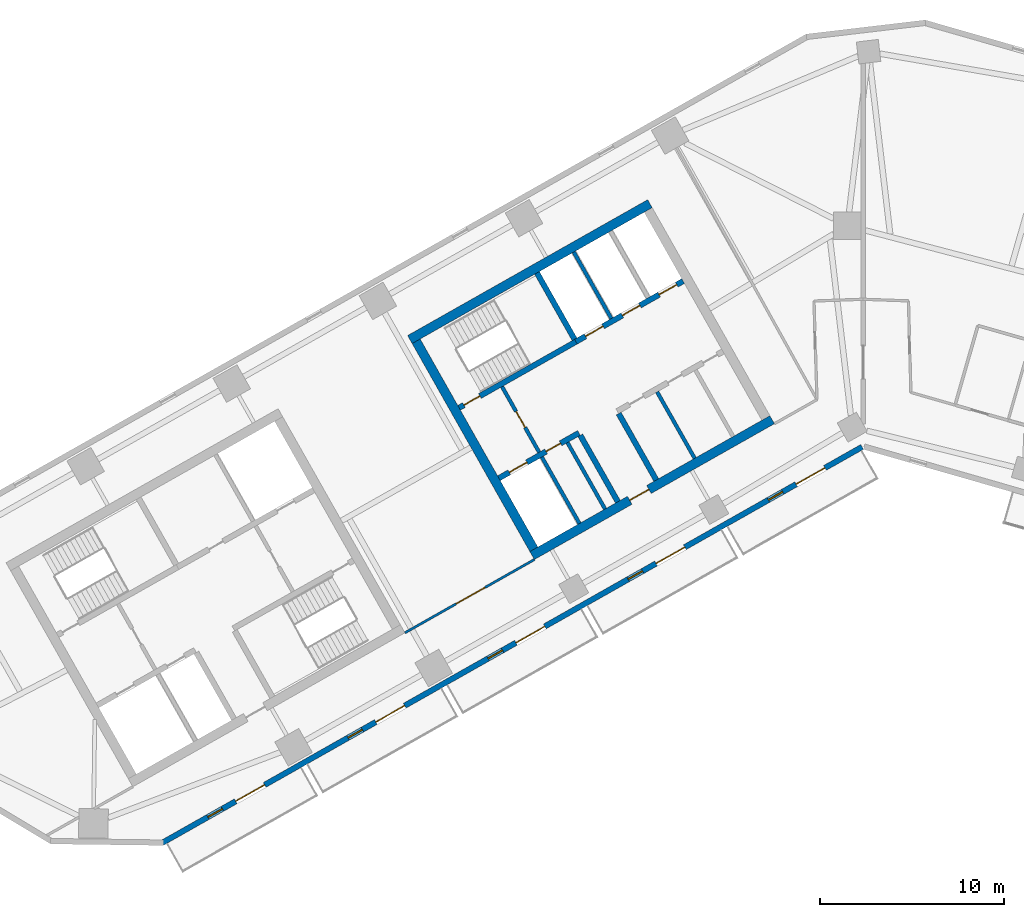
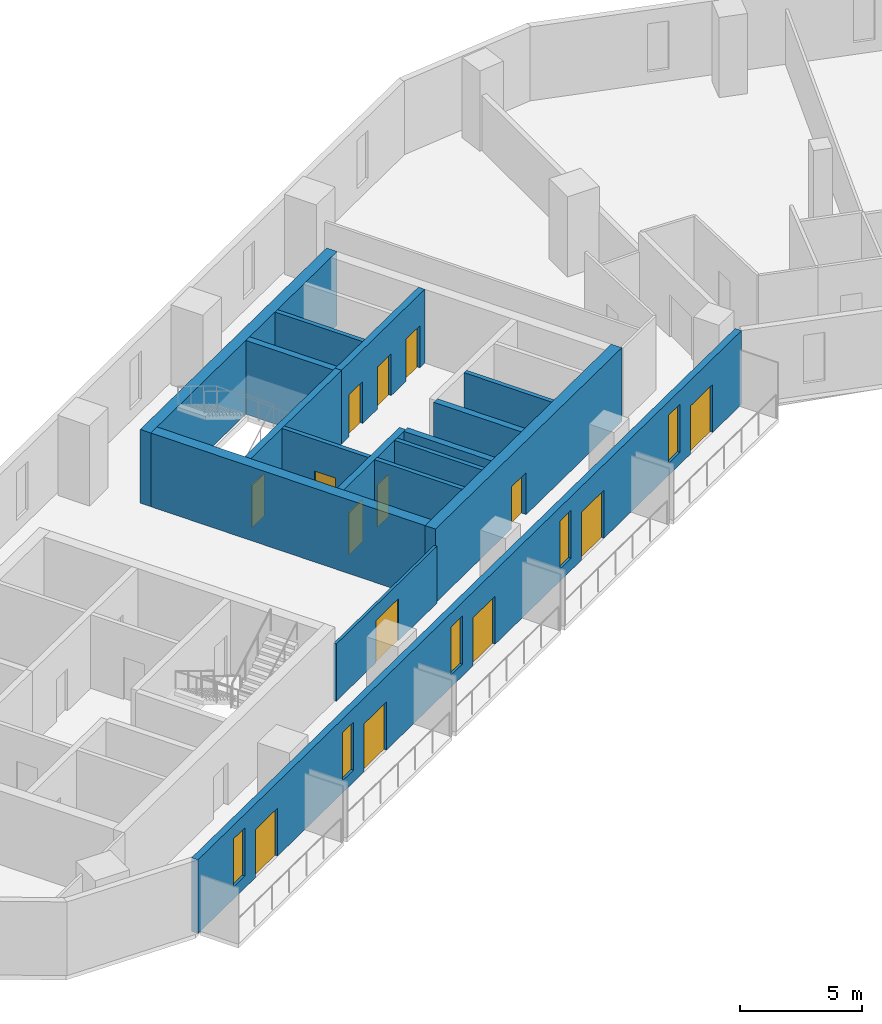
# One storey, part 4 of 9: 16 walls, 14 doors, 5 windows, 19 openings.
"""IFC4 building model written with IfcOpenShell, lengths in metres."""

from ifc_helpers import new_model, si_unit, direction, frame, frame_2d, origin, place, context, subcontext, project, spatial, rectangle, extrude, material, layer, layer_set, type_object, element, fill, save


model = new_model("IFC4")

# Units and contexts
model_context = context("Model", 3, precision=1e-05, world=origin(), true_north=direction((0.0, 1.0)))
body_context = subcontext(model_context, "Body", "Model", "MODEL_VIEW")
ifc_project = project(units=[si_unit("LENGTHUNIT", "METRE"), si_unit("AREAUNIT", "SQUARE_METRE"), si_unit("VOLUMEUNIT", "CUBIC_METRE"), si_unit("PLANEANGLEUNIT", "RADIAN"), si_unit("MASSUNIT", "GRAM", prefix="KILO")], contexts=[model_context])

# Site, building, storey
site_placement = place(None, origin())
site = spatial("IfcSite", under=ifc_project, at=site_placement, CompositionType="ELEMENT")
building_placement = place(site_placement, origin())
building = spatial("IfcBuilding", under=site, at=building_placement, Name="Binnacle Exchange Tower", CompositionType="ELEMENT")
storey_placement = place(building_placement, frame((0.0, 0.0, 190.89990234375)))
storey = spatial("IfcBuildingStorey", under=building, at=storey_placement, Name="L41", CompositionType="ELEMENT", Elevation=190.89990234375)

# Wall
ifc_material_1 = material(Name="Gypsum partition fire rated")
ifc_layer_1 = layer(ifc_material_1, 0.199951171875)
ifc_layer_set_1 = layer_set([ifc_layer_1], Name="Core partition 200")
wall_type_1 = type_object("IfcWallType", Name="Core partition 200", PredefinedType="PARTITIONING", material=ifc_layer_set_1)
wall_1_placement = place(storey_placement, frame((-11.201904296875, 50.96240234375, 0.0), z_axis=(0.0, 0.0, 1.0), x_axis=(0.492441017253, -0.870345818929, 0.0)))
element("IfcWall", 1, at=wall_1_placement, inside=storey, type_object=wall_type_1, Name="Core wall CRWC19", PredefinedType="PARTITIONING", context=body_context, shape_type="SweptSolid", body=[
    extrude(rectangle(XDim=4.150146484375, YDim=0.199951171875, at=frame_2d((2.0751953125, 0.0))), origin(), (0.0, 0.0, 1.0), 3.68017578125),
])

# Wall, openings, doors
ifc_material_2 = material(Name="Concrete C70/85", Category="concrete")
ifc_layer_2 = layer(ifc_material_2, 0.300048828125)
ifc_layer_set_2 = layer_set([ifc_layer_2], Name="Core wall - front 300")
wall_type_2 = type_object("IfcWallType", Name="Core wall - front 300", PredefinedType="SOLIDWALL", material=ifc_layer_set_2)
wall_2_placement = place(storey_placement, frame((-19.80517578125, 46.26708984375, 0.0), z_axis=(0.0, 0.0, 1.0), x_axis=(0.870353598469, 0.492427267353, 0.0)))
wall_2 = element("IfcWall", 2, at=wall_2_placement, inside=storey, type_object=wall_type_2, Name="Core wall CRWC2", PredefinedType="SOLIDWALL", context=body_context, shape_type="SweptSolid", body=[
    extrude(rectangle(XDim=5.0, YDim=0.300048828125, at=frame_2d((2.5, 0.0))), origin(), (0.0, 0.0, 1.0), 3.68017578125),
])
opening_1_placement = place(wall_2_placement, frame((0.64990234375, 0.0, 0.0)))
opening_1 = element("IfcOpeningElement", 3, at=opening_1_placement, cuts=wall_2, Name="Opening LD14", PredefinedType="OPENING", context=body_context, shape_type="SweptSolid", body=[
    extrude(rectangle(XDim=1.10009765625, YDim=2.10009765625, at=frame_2d((0.550048828125, 1.050048828125))), frame((0.0, 0.159912109375, 0.0), z_axis=(0.0, -1.0, 0.0), x_axis=(1.0, 0.0, 0.0)), (0.0, 0.0, 1.0), 0.320068359375),
])
opening_2_placement = place(wall_2_placement, frame((2.949951171875, 0.0, 0.0)))
opening_2 = element("IfcOpeningElement", 4, at=opening_2_placement, cuts=wall_2, Name="Opening DC14", PredefinedType="OPENING", context=body_context, shape_type="SweptSolid", body=[
    extrude(rectangle(XDim=0.89990234375, YDim=2.10009765625, at=frame_2d((0.449951171875, 1.050048828125))), frame((0.0, 0.159912109375, 0.0), z_axis=(0.0, -1.0, 0.0), x_axis=(1.0, 0.0, 0.0)), (0.0, 0.0, 1.0), 0.320068359375),
])
ifc_material_3 = material(Name="Steel door leaf", Category="steel")
door_type_1 = type_object("IfcDoorType", Name="Fire door - lift landing 1100", OperationType="NOTDEFINED", PredefinedType="DOOR", material=ifc_material_3)
door_1_placement = place(opening_1_placement, origin())
door_1 = element("IfcDoor", 5, at=door_1_placement, inside=storey, type_object=door_type_1, Name="Landing door LD14 L41", OperationType="DOUBLE_DOOR_SLIDING", OverallHeight=2.10009765625, OverallWidth=1.10009765625, PredefinedType="DOOR", context=body_context, shape_type="SweptSolid", body=[
    extrude(rectangle(XDim=1.10009765625, YDim=2.10009765625, at=frame_2d((0.550048828125, 1.050048828125))), frame((0.0, 0.02490234375, 0.0), z_axis=(0.0, -1.0, 0.0), x_axis=(1.0, 0.0, 0.0)), (0.0, 0.0, 1.0), 0.050048828125),
])
fill(opening_1, door_1)
door_type_2 = type_object("IfcDoorType", Name="Fire door 900", OperationType="NOTDEFINED", PredefinedType="DOOR", material=ifc_material_3)
door_2_placement = place(opening_2_placement, frame((0.89990234375, 0.0, 0.0), z_axis=(0.0, 0.0, 1.0), x_axis=(-1.0, 0.0, 0.0)))
door_2 = element("IfcDoor", 6, at=door_2_placement, inside=storey, type_object=door_type_2, Name="Core room door UPS CUPBOARD", OperationType="SINGLE_SWING_LEFT", OverallHeight=2.10009765625, OverallWidth=0.89990234375, PredefinedType="DOOR", context=body_context, shape_type="SweptSolid", body=[
    extrude(rectangle(XDim=0.89990234375, YDim=2.10009765625, at=frame_2d((0.449951171875, 1.050048828125))), frame((0.0, 0.02490234375, 0.0), z_axis=(0.0, -1.0, 0.0), x_axis=(1.0, 0.0, 0.0)), (0.0, 0.0, 1.0), 0.050048828125),
])
fill(opening_2, door_2)

wall_3_placement = place(storey_placement, frame((-15.6181640625, 53.69140625, 0.0), z_axis=(0.0, 0.0, 1.0), x_axis=(0.870363236066, 0.492410232738, 0.0)))
wall_3 = element("IfcWall", 7, at=wall_3_placement, inside=storey, type_object=wall_type_2, Name="Core wall CRWC5", PredefinedType="SOLIDWALL", context=body_context, shape_type="SweptSolid", body=[
    extrude(rectangle(XDim=6.699951171875, YDim=0.300048828125, at=frame_2d((3.35009765625, 0.0))), origin(), (0.0, 0.0, 1.0), 3.68017578125),
])
opening_3_placement = place(wall_3_placement, frame((0.60009765625, 0.0, 0.0)))
opening_3 = element("IfcOpeningElement", 8, at=opening_3_placement, cuts=wall_3, Name="Opening LD5", PredefinedType="OPENING", context=body_context, shape_type="SweptSolid", body=[
    extrude(rectangle(XDim=1.10009765625, YDim=2.10009765625, at=frame_2d((0.550048828125, 1.050048828125))), frame((0.0, 0.159912109375, 0.0), z_axis=(0.0, -1.0, 0.0), x_axis=(1.0, 0.0, 0.0)), (0.0, 0.0, 1.0), 0.320068359375),
])
opening_4_placement = place(wall_3_placement, frame((2.89990234375, 0.0, 0.0)))
opening_4 = element("IfcOpeningElement", 9, at=opening_4_placement, cuts=wall_3, Name="Opening LD6", PredefinedType="OPENING", context=body_context, shape_type="SweptSolid", body=[
    extrude(rectangle(XDim=1.10009765625, YDim=2.10009765625, at=frame_2d((0.550048828125, 1.050048828125))), frame((0.0, 0.159912109375, 0.0), z_axis=(0.0, -1.0, 0.0), x_axis=(1.0, 0.0, 0.0)), (0.0, 0.0, 1.0), 0.320068359375),
])
opening_5_placement = place(wall_3_placement, frame((5.199951171875, 0.0, 0.0)))
opening_5 = element("IfcOpeningElement", 10, at=opening_5_placement, cuts=wall_3, Name="Opening LD7", PredefinedType="OPENING", context=body_context, shape_type="SweptSolid", body=[
    extrude(rectangle(XDim=1.10009765625, YDim=2.10009765625, at=frame_2d((0.550048828125, 1.050048828125))), frame((0.0, 0.159912109375, 0.0), z_axis=(0.0, -1.0, 0.0), x_axis=(1.0, 0.0, 0.0)), (0.0, 0.0, 1.0), 0.320068359375),
])
door_3_placement = place(opening_3_placement, origin())
door_3 = element("IfcDoor", 11, at=door_3_placement, inside=storey, type_object=door_type_1, Name="Landing door LD5 L41", OperationType="DOUBLE_DOOR_SLIDING", OverallHeight=2.10009765625, OverallWidth=1.10009765625, PredefinedType="DOOR", context=body_context, shape_type="SweptSolid", body=[
    extrude(rectangle(XDim=1.10009765625, YDim=2.10009765625, at=frame_2d((0.550048828125, 1.050048828125))), frame((0.0, 0.02490234375, 0.0), z_axis=(0.0, -1.0, 0.0), x_axis=(1.0, 0.0, 0.0)), (0.0, 0.0, 1.0), 0.050048828125),
])
fill(opening_3, door_3)
door_4_placement = place(opening_4_placement, origin())
door_4 = element("IfcDoor", 12, at=door_4_placement, inside=storey, type_object=door_type_1, Name="Landing door LD6 L41", OperationType="DOUBLE_DOOR_SLIDING", OverallHeight=2.10009765625, OverallWidth=1.10009765625, PredefinedType="DOOR", context=body_context, shape_type="SweptSolid", body=[
    extrude(rectangle(XDim=1.10009765625, YDim=2.10009765625, at=frame_2d((0.550048828125, 1.050048828125))), frame((0.0, 0.02490234375, 0.0), z_axis=(0.0, -1.0, 0.0), x_axis=(1.0, 0.0, 0.0)), (0.0, 0.0, 1.0), 0.050048828125),
])
fill(opening_4, door_4)
door_5_placement = place(opening_5_placement, origin())
door_5 = element("IfcDoor", 13, at=door_5_placement, inside=storey, type_object=door_type_1, Name="Landing door LD7 L41", OperationType="DOUBLE_DOOR_SLIDING", OverallHeight=2.10009765625, OverallWidth=1.10009765625, PredefinedType="DOOR", context=body_context, shape_type="SweptSolid", body=[
    extrude(rectangle(XDim=1.10009765625, YDim=2.10009765625, at=frame_2d((0.550048828125, 1.050048828125))), frame((0.0, 0.02490234375, 0.0), z_axis=(0.0, -1.0, 0.0), x_axis=(1.0, 0.0, 0.0)), (0.0, 0.0, 1.0), 0.050048828125),
])
fill(opening_5, door_5)

# Walls
for number, where, z_axis, x_axis, name in (
    (14, (-15.37939453125, 48.5986328125, 0.0), (0.0, 0.0, 1.0), (0.492396453737, -0.870371031427, 0.0), "Core wall CRWC13"),
    (15, (-13.29052734375, 49.780517578125, 0.0), (0.0, 0.0, 1.0), (0.492396453737, -0.870371031427, 0.0), "Core wall CRWC15"),
):
    element("IfcWall", number, at=place(storey_placement, frame(where, z_axis=z_axis, x_axis=x_axis)), inside=storey, type_object=wall_type_2, Name=name, PredefinedType="SOLIDWALL", context=body_context, shape_type="SweptSolid", body=[
        extrude(rectangle(XDim=4.14990234375, YDim=0.300048828125, at=frame_2d((2.074951171875, 0.0))), origin(), (0.0, 0.0, 1.0), 3.68017578125),
    ])

# Wall, opening, door
ifc_layer_3 = layer(ifc_material_2, 0.5)
ifc_layer_set_3 = layer_set([ifc_layer_3], Name="Core wall - outer 500")
wall_type_3 = type_object("IfcWallType", Name="Core wall - outer 500", PredefinedType="SOLIDWALL", material=ifc_layer_set_3)
wall_4_placement = place(storey_placement, frame((-17.999755859375, 42.060791015625, 0.0), z_axis=(0.0, 0.0, 1.0), x_axis=(0.870356627484, 0.492421913601, 0.0)))
wall_4 = element("IfcWall", 16, at=wall_4_placement, inside=storey, type_object=wall_type_3, Name="Core wall CRWC1", PredefinedType="SOLIDWALL", context=body_context, shape_type="SweptSolid", body=[
    extrude(rectangle(XDim=14.999755859375, YDim=0.5, at=frame_2d((7.5, 0.0))), origin(), (0.0, 0.0, 1.0), 3.68017578125),
])
opening_6_placement = place(wall_4_placement, frame((6.10009765625, 0.0, 0.0)))
opening_6 = element("IfcOpeningElement", 17, at=opening_6_placement, cuts=wall_4, Name="Opening DC7", PredefinedType="OPENING", context=body_context, shape_type="SweptSolid", body=[
    extrude(rectangle(XDim=1.199951171875, YDim=2.10009765625, at=frame_2d((0.60009765625, 1.050048828125))), frame((0.0, 0.260009765625, 0.0), z_axis=(0.0, -1.0, 0.0), x_axis=(1.0, 0.0, 0.0)), (0.0, 0.0, 1.0), 0.52001953125),
])
door_type_3 = type_object("IfcDoorType", Name="Fire door 1200", OperationType="NOTDEFINED", PredefinedType="DOOR", material=ifc_material_3)
door_6_placement = place(opening_6_placement, frame((1.199951171875, 0.0, 0.0), z_axis=(0.0, 0.0, 1.0), x_axis=(-1.0, 0.0, 0.0)))
door_6 = element("IfcDoor", 18, at=door_6_placement, inside=storey, type_object=door_type_3, Name="Lift lobby entrance door core C", OperationType="SINGLE_SWING_RIGHT", OverallHeight=2.10009765625, OverallWidth=1.199951171875, PredefinedType="DOOR", context=body_context, shape_type="SweptSolid", body=[
    extrude(rectangle(XDim=1.199951171875, YDim=2.10009765625, at=frame_2d((0.60009765625, 1.050048828125))), frame((0.0, 0.02490234375, 0.0), z_axis=(0.0, -1.0, 0.0), x_axis=(1.0, 0.0, 0.0)), (0.0, 0.0, 1.0), 0.050048828125),
])
fill(opening_6, door_6)

# Walls
wall_5_placement = place(storey_placement, frame((-24.6474609375, 53.810546875, 0.0), z_axis=(0.0, 0.0, 1.0), x_axis=(0.87034965173, 0.492434243055, 0.0)))
element("IfcWall", 19, at=wall_5_placement, inside=storey, type_object=wall_type_3, Name="Core wall CRWC6", PredefinedType="SOLIDWALL", context=body_context, shape_type="SweptSolid", body=[
    extrude(rectangle(XDim=15.0, YDim=0.5, at=frame_2d((7.5, 0.0))), origin(), (0.0, 0.0, 1.0), 3.68017578125),
])
wall_6_placement = place(storey_placement, frame((-24.306884765625, 53.716064453125, 0.0), z_axis=(0.0, 0.0, 1.0), x_axis=(0.492427267353, -0.870353598469, 0.0)))
element("IfcWall", 20, at=wall_6_placement, inside=storey, type_object=wall_type_3, Name="Core wall CRWC7", PredefinedType="SOLIDWALL", context=body_context, shape_type="SweptSolid", body=[
    extrude(rectangle(XDim=13.0, YDim=0.5, at=frame_2d((6.5, 0.0))), origin(), (0.0, 0.0, 1.0), 3.68017578125),
])

# Wall, opening, door
ifc_layer_4 = layer(ifc_material_2, 0.300048828125)
ifc_layer_set_4 = layer_set([ifc_layer_4], Name="Core wall - stair 300")
wall_type_4 = type_object("IfcWallType", Name="Core wall - stair 300", PredefinedType="SOLIDWALL", material=ifc_layer_set_4)
wall_7_placement = place(storey_placement, frame((-21.9716796875, 50.0966796875, 0.0), z_axis=(0.0, 0.0, 1.0), x_axis=(0.870350976978, 0.492431900747, 0.0)))
wall_7 = element("IfcWall", 21, at=wall_7_placement, inside=storey, type_object=wall_type_4, Name="Core wall CRWC4", PredefinedType="SOLIDWALL", context=body_context, shape_type="SweptSolid", body=[
    extrude(rectangle(XDim=7.300048828125, YDim=0.300048828125, at=frame_2d((3.64990234375, 0.0))), origin(), (0.0, 0.0, 1.0), 3.68017578125),
])
opening_7_placement = place(wall_7_placement, frame((0.300048828125, 0.0, 0.0)))
opening_7 = element("IfcOpeningElement", 22, at=opening_7_placement, cuts=wall_7, Name="Opening DC1", PredefinedType="OPENING", context=body_context, shape_type="SweptSolid", body=[
    extrude(rectangle(XDim=1.0, YDim=2.10009765625, at=frame_2d((0.5, 1.050048828125))), frame((0.0, 0.159912109375, 0.0), z_axis=(0.0, -1.0, 0.0), x_axis=(1.0, 0.0, 0.0)), (0.0, 0.0, 1.0), 0.320068359375),
])
door_type_4 = type_object("IfcDoorType", Name="Fire door 1000", OperationType="NOTDEFINED", PredefinedType="DOOR", material=ifc_material_3)
door_7_placement = place(opening_7_placement, origin())
door_7 = element("IfcDoor", 23, at=door_7_placement, inside=storey, type_object=door_type_4, Name="Stair door ST-C1", OperationType="SINGLE_SWING_LEFT", OverallHeight=2.10009765625, OverallWidth=1.0, PredefinedType="DOOR", context=body_context, shape_type="SweptSolid", body=[
    extrude(rectangle(XDim=1.0, YDim=2.10009765625, at=frame_2d((0.5, 1.050048828125))), frame((0.0, 0.02490234375, 0.0), z_axis=(0.0, -1.0, 0.0), x_axis=(1.0, 0.0, 0.0)), (0.0, 0.0, 1.0), 0.050048828125),
])
fill(opening_7, door_7)

# Wall
wall_8_placement = place(storey_placement, frame((-17.735595703125, 57.433837890625, 0.0), z_axis=(0.0, 0.0, 1.0), x_axis=(0.492421666909, -0.870356767055, 0.0)))
element("IfcWall", 24, at=wall_8_placement, inside=storey, type_object=wall_type_4, Name="Core wall CRWC14", PredefinedType="SOLIDWALL", context=body_context, shape_type="SweptSolid", body=[
    extrude(rectangle(XDim=4.14990234375, YDim=0.300048828125, at=frame_2d((2.074951171875, 0.0))), origin(), (0.0, 0.0, 1.0), 3.68017578125),
])

# Wall, openings, doors, windows
ifc_material_4 = material(Name="Bronze aluminium cladding", Category="aluminium")
ifc_layer_5 = layer(ifc_material_4, 0.300048828125)
ifc_layer_set_5 = layer_set([ifc_layer_5], Name="External wall - spandrel 300")
wall_type_5 = type_object("IfcWallType", Name="External wall - spandrel 300", PredefinedType="STANDARD", material=ifc_layer_set_5)
wall_9_placement = place(storey_placement, frame((-0.0546875, 47.968994140625, 0.0), z_axis=(0.0, 0.0, 1.0), x_axis=(-0.870355730478, -0.492423499058, 0.0)))
wall_9 = element("IfcWall", 25, at=wall_9_placement, inside=storey, type_object=wall_type_5, Name="External wall EW-G01 L41", PredefinedType="STANDARD", context=body_context, shape_type="SweptSolid", body=[
    extrude(rectangle(XDim=43.750244140625, YDim=0.300048828125, at=frame_2d((21.875, 0.0))), origin(), (0.0, 0.0, 1.0), 3.68017578125),
])
opening_8_placement = place(wall_9_placement, frame((39.976806640625, 0.0, 0.60009765625)))
opening_8 = element("IfcOpeningElement", 26, at=opening_8_placement, cuts=wall_9, Name="Opening WS3", PredefinedType="OPENING", context=body_context, shape_type="SweptSolid", body=[
    extrude(rectangle(XDim=0.89990234375, YDim=2.39990234375, at=frame_2d((0.449951171875, 1.199951171875))), frame((0.0, 0.159912109375, 0.0), z_axis=(0.0, -1.0, 0.0), x_axis=(1.0, 0.0, 0.0)), (0.0, 0.0, 1.0), 0.320068359375),
])
opening_9_placement = place(wall_9_placement, frame((37.338134765625, 0.0, 0.0)))
opening_9 = element("IfcOpeningElement", 27, at=opening_9_placement, cuts=wall_9, Name="Opening D-FS11-01", PredefinedType="OPENING", context=body_context, shape_type="SweptSolid", body=[
    extrude(rectangle(XDim=1.800048828125, YDim=2.39990234375, at=frame_2d((0.89990234375, 1.199951171875))), frame((0.0, 0.159912109375, 0.0), z_axis=(0.0, -1.0, 0.0), x_axis=(1.0, 0.0, 0.0)), (0.0, 0.0, 1.0), 0.320068359375),
])
opening_10_placement = place(wall_9_placement, frame((31.222412109375, 0.0, 0.60009765625)))
opening_10 = element("IfcOpeningElement", 28, at=opening_10_placement, cuts=wall_9, Name="Opening WS3", PredefinedType="OPENING", context=body_context, shape_type="SweptSolid", body=[
    extrude(rectangle(XDim=0.89990234375, YDim=2.39990234375, at=frame_2d((0.449951171875, 1.199951171875))), frame((0.0, 0.159912109375, 0.0), z_axis=(0.0, -1.0, 0.0), x_axis=(1.0, 0.0, 0.0)), (0.0, 0.0, 1.0), 0.320068359375),
])
opening_11_placement = place(wall_9_placement, frame((28.583740234375, 0.0, 0.0)))
opening_11 = element("IfcOpeningElement", 29, at=opening_11_placement, cuts=wall_9, Name="Opening D-FS11-02", PredefinedType="OPENING", context=body_context, shape_type="SweptSolid", body=[
    extrude(rectangle(XDim=1.800048828125, YDim=2.39990234375, at=frame_2d((0.89990234375, 1.199951171875))), frame((0.0, 0.159912109375, 0.0), z_axis=(0.0, -1.0, 0.0), x_axis=(1.0, 0.0, 0.0)), (0.0, 0.0, 1.0), 0.320068359375),
])
opening_12_placement = place(wall_9_placement, frame((22.4677734375, 0.0, 0.60009765625)))
opening_12 = element("IfcOpeningElement", 30, at=opening_12_placement, cuts=wall_9, Name="Opening WS3", PredefinedType="OPENING", context=body_context, shape_type="SweptSolid", body=[
    extrude(rectangle(XDim=0.89990234375, YDim=2.39990234375, at=frame_2d((0.449951171875, 1.199951171875))), frame((0.0, 0.159912109375, 0.0), z_axis=(0.0, -1.0, 0.0), x_axis=(1.0, 0.0, 0.0)), (0.0, 0.0, 1.0), 0.320068359375),
])
opening_13_placement = place(wall_9_placement, frame((19.8291015625, 0.0, 0.0)))
opening_13 = element("IfcOpeningElement", 31, at=opening_13_placement, cuts=wall_9, Name="Opening D-FS11-03", PredefinedType="OPENING", context=body_context, shape_type="SweptSolid", body=[
    extrude(rectangle(XDim=1.800048828125, YDim=2.39990234375, at=frame_2d((0.89990234375, 1.199951171875))), frame((0.0, 0.159912109375, 0.0), z_axis=(0.0, -1.0, 0.0), x_axis=(1.0, 0.0, 0.0)), (0.0, 0.0, 1.0), 0.320068359375),
])
opening_14_placement = place(wall_9_placement, frame((13.713134765625, 0.0, 0.60009765625)))
opening_14 = element("IfcOpeningElement", 32, at=opening_14_placement, cuts=wall_9, Name="Opening WS3", PredefinedType="OPENING", context=body_context, shape_type="SweptSolid", body=[
    extrude(rectangle(XDim=0.89990234375, YDim=2.39990234375, at=frame_2d((0.449951171875, 1.199951171875))), frame((0.0, 0.159912109375, 0.0), z_axis=(0.0, -1.0, 0.0), x_axis=(1.0, 0.0, 0.0)), (0.0, 0.0, 1.0), 0.320068359375),
])
opening_15_placement = place(wall_9_placement, frame((11.07470703125, 0.0, 0.0)))
opening_15 = element("IfcOpeningElement", 33, at=opening_15_placement, cuts=wall_9, Name="Opening D-FS11-04", PredefinedType="OPENING", context=body_context, shape_type="SweptSolid", body=[
    extrude(rectangle(XDim=1.800048828125, YDim=2.39990234375, at=frame_2d((0.89990234375, 1.199951171875))), frame((0.0, 0.159912109375, 0.0), z_axis=(0.0, -1.0, 0.0), x_axis=(1.0, 0.0, 0.0)), (0.0, 0.0, 1.0), 0.320068359375),
])
opening_16_placement = place(wall_9_placement, frame((4.958740234375, 0.0, 0.60009765625)))
opening_16 = element("IfcOpeningElement", 34, at=opening_16_placement, cuts=wall_9, Name="Opening WS3", PredefinedType="OPENING", context=body_context, shape_type="SweptSolid", body=[
    extrude(rectangle(XDim=0.89990234375, YDim=2.39990234375, at=frame_2d((0.449951171875, 1.199951171875))), frame((0.0, 0.159912109375, 0.0), z_axis=(0.0, -1.0, 0.0), x_axis=(1.0, 0.0, 0.0)), (0.0, 0.0, 1.0), 0.320068359375),
])
opening_17_placement = place(wall_9_placement, frame((2.320068359375, 0.0, 0.0)))
opening_17 = element("IfcOpeningElement", 35, at=opening_17_placement, cuts=wall_9, Name="Opening D-FS11-05", PredefinedType="OPENING", context=body_context, shape_type="SweptSolid", body=[
    extrude(rectangle(XDim=1.800048828125, YDim=2.39990234375, at=frame_2d((0.89990234375, 1.199951171875))), frame((0.0, 0.159912109375, 0.0), z_axis=(0.0, -1.0, 0.0), x_axis=(1.0, 0.0, 0.0)), (0.0, 0.0, 1.0), 0.320068359375),
])
ifc_material_5 = material(Name="Bronze anodised aluminium frame", Category="aluminium")
door_type_5 = type_object("IfcDoorType", Name="DB DOOR 1800x2400", OperationType="DOUBLE_DOOR_SINGLE_SWING", PredefinedType="DOOR", material=ifc_material_5)
door_8_placement = place(opening_9_placement, origin())
door_8 = element("IfcDoor", 36, at=door_8_placement, inside=storey, type_object=door_type_5, Name="Door D-FS11-01 L41", OperationType="DOUBLE_DOOR_SINGLE_SWING", OverallHeight=2.39990234375, OverallWidth=1.800048828125, PredefinedType="DOOR", context=body_context, shape_type="SweptSolid", body=[
    extrude(rectangle(XDim=1.800048828125, YDim=2.39990234375, at=frame_2d((0.89990234375, 1.199951171875))), frame((0.0, 0.02490234375, 0.0), z_axis=(0.0, -1.0, 0.0), x_axis=(1.0, 0.0, 0.0)), (0.0, 0.0, 1.0), 0.050048828125),
])
fill(opening_9, door_8)
door_9_placement = place(opening_11_placement, origin())
door_9 = element("IfcDoor", 37, at=door_9_placement, inside=storey, type_object=door_type_5, Name="Door D-FS11-02 L41", OperationType="DOUBLE_DOOR_SINGLE_SWING", OverallHeight=2.39990234375, OverallWidth=1.800048828125, PredefinedType="DOOR", context=body_context, shape_type="SweptSolid", body=[
    extrude(rectangle(XDim=1.800048828125, YDim=2.39990234375, at=frame_2d((0.89990234375, 1.199951171875))), frame((0.0, 0.02490234375, 0.0), z_axis=(0.0, -1.0, 0.0), x_axis=(1.0, 0.0, 0.0)), (0.0, 0.0, 1.0), 0.050048828125),
])
fill(opening_11, door_9)
door_10_placement = place(opening_13_placement, origin())
door_10 = element("IfcDoor", 38, at=door_10_placement, inside=storey, type_object=door_type_5, Name="Door D-FS11-03 L41", OperationType="DOUBLE_DOOR_SINGLE_SWING", OverallHeight=2.39990234375, OverallWidth=1.800048828125, PredefinedType="DOOR", context=body_context, shape_type="SweptSolid", body=[
    extrude(rectangle(XDim=1.800048828125, YDim=2.39990234375, at=frame_2d((0.89990234375, 1.199951171875))), frame((0.0, 0.02490234375, 0.0), z_axis=(0.0, -1.0, 0.0), x_axis=(1.0, 0.0, 0.0)), (0.0, 0.0, 1.0), 0.050048828125),
])
fill(opening_13, door_10)
door_11_placement = place(opening_15_placement, origin())
door_11 = element("IfcDoor", 39, at=door_11_placement, inside=storey, type_object=door_type_5, Name="Door D-FS11-04 L41", OperationType="DOUBLE_DOOR_SINGLE_SWING", OverallHeight=2.39990234375, OverallWidth=1.800048828125, PredefinedType="DOOR", context=body_context, shape_type="SweptSolid", body=[
    extrude(rectangle(XDim=1.800048828125, YDim=2.39990234375, at=frame_2d((0.89990234375, 1.199951171875))), frame((0.0, 0.02490234375, 0.0), z_axis=(0.0, -1.0, 0.0), x_axis=(1.0, 0.0, 0.0)), (0.0, 0.0, 1.0), 0.050048828125),
])
fill(opening_15, door_11)
door_12_placement = place(opening_17_placement, origin())
door_12 = element("IfcDoor", 40, at=door_12_placement, inside=storey, type_object=door_type_5, Name="Door D-FS11-05 L41", OperationType="DOUBLE_DOOR_SINGLE_SWING", OverallHeight=2.39990234375, OverallWidth=1.800048828125, PredefinedType="DOOR", context=body_context, shape_type="SweptSolid", body=[
    extrude(rectangle(XDim=1.800048828125, YDim=2.39990234375, at=frame_2d((0.89990234375, 1.199951171875))), frame((0.0, 0.02490234375, 0.0), z_axis=(0.0, -1.0, 0.0), x_axis=(1.0, 0.0, 0.0)), (0.0, 0.0, 1.0), 0.050048828125),
])
fill(opening_17, door_12)
window_type = type_object("IfcWindowType", Name="WS3 WINDOW 900x2400", PartitioningType="SINGLE_PANEL", PredefinedType="WINDOW", material=ifc_material_5)
window_1_placement = place(opening_8_placement, origin())
window_1 = element("IfcWindow", 41, at=window_1_placement, inside=storey, type_object=window_type, Name="Window WS3 L41", OverallHeight=2.39990234375, OverallWidth=0.89990234375, PartitioningType="SINGLE_PANEL", PredefinedType="WINDOW", context=body_context, shape_type="SweptSolid", body=[
    extrude(rectangle(XDim=0.89990234375, YDim=2.39990234375, at=frame_2d((0.449951171875, 1.199951171875))), frame((0.0, 0.030029296875, 0.0), z_axis=(0.0, -1.0, 0.0), x_axis=(1.0, 0.0, 0.0)), (0.0, 0.0, 1.0), 0.06005859375),
])
fill(opening_8, window_1)
window_2_placement = place(opening_10_placement, origin())
window_2 = element("IfcWindow", 42, at=window_2_placement, inside=storey, type_object=window_type, Name="Window WS3 L41", OverallHeight=2.39990234375, OverallWidth=0.89990234375, PartitioningType="SINGLE_PANEL", PredefinedType="WINDOW", context=body_context, shape_type="SweptSolid", body=[
    extrude(rectangle(XDim=0.89990234375, YDim=2.39990234375, at=frame_2d((0.449951171875, 1.199951171875))), frame((0.0, 0.030029296875, 0.0), z_axis=(0.0, -1.0, 0.0), x_axis=(1.0, 0.0, 0.0)), (0.0, 0.0, 1.0), 0.06005859375),
])
fill(opening_10, window_2)
window_3_placement = place(opening_12_placement, origin())
window_3 = element("IfcWindow", 43, at=window_3_placement, inside=storey, type_object=window_type, Name="Window WS3 L41", OverallHeight=2.39990234375, OverallWidth=0.89990234375, PartitioningType="SINGLE_PANEL", PredefinedType="WINDOW", context=body_context, shape_type="SweptSolid", body=[
    extrude(rectangle(XDim=0.89990234375, YDim=2.39990234375, at=frame_2d((0.449951171875, 1.199951171875))), frame((0.0, 0.030029296875, 0.0), z_axis=(0.0, -1.0, 0.0), x_axis=(1.0, 0.0, 0.0)), (0.0, 0.0, 1.0), 0.06005859375),
])
fill(opening_12, window_3)
window_4_placement = place(opening_14_placement, origin())
window_4 = element("IfcWindow", 44, at=window_4_placement, inside=storey, type_object=window_type, Name="Window WS3 L41", OverallHeight=2.39990234375, OverallWidth=0.89990234375, PartitioningType="SINGLE_PANEL", PredefinedType="WINDOW", context=body_context, shape_type="SweptSolid", body=[
    extrude(rectangle(XDim=0.89990234375, YDim=2.39990234375, at=frame_2d((0.449951171875, 1.199951171875))), frame((0.0, 0.030029296875, 0.0), z_axis=(0.0, -1.0, 0.0), x_axis=(1.0, 0.0, 0.0)), (0.0, 0.0, 1.0), 0.06005859375),
])
fill(opening_14, window_4)
window_5_placement = place(opening_16_placement, origin())
window_5 = element("IfcWindow", 45, at=window_5_placement, inside=storey, type_object=window_type, Name="Window WS3 L41", OverallHeight=2.39990234375, OverallWidth=0.89990234375, PartitioningType="SINGLE_PANEL", PredefinedType="WINDOW", context=body_context, shape_type="SweptSolid", body=[
    extrude(rectangle(XDim=0.89990234375, YDim=2.39990234375, at=frame_2d((0.449951171875, 1.199951171875))), frame((0.0, 0.030029296875, 0.0), z_axis=(0.0, -1.0, 0.0), x_axis=(1.0, 0.0, 0.0)), (0.0, 0.0, 1.0), 0.06005859375),
])
fill(opening_16, window_5)

# Wall, opening, door
ifc_material_6 = material(Name="Masonry block wall", Category="masonry")
ifc_layer_6 = layer(ifc_material_6, 0.199951171875)
ifc_layer_set_6 = layer_set([ifc_layer_6], Name="Fire wall - vestibule 200")
wall_type_6 = type_object("IfcWallType", Name="Fire wall - vestibule 200", PredefinedType="PARTITIONING", material=ifc_layer_set_6)
wall_10_placement = place(storey_placement, frame((-19.635009765625, 51.246337890625, 0.0), z_axis=(0.0, 0.0, 1.0), x_axis=(0.492408451753, -0.87036424366, 0.0)))
wall_10 = element("IfcWall", 46, at=wall_10_placement, inside=storey, type_object=wall_type_6, Name="Core wall CRWC10", PredefinedType="PARTITIONING", context=body_context, shape_type="SweptSolid", body=[
    extrude(rectangle(XDim=4.099853515625, YDim=0.199951171875, at=frame_2d((2.0498046875, 0.0))), origin(), (0.0, 0.0, 1.0), 3.68017578125),
])
opening_18_placement = place(wall_10_placement, frame((1.550048828125, 0.0, 0.0)))
opening_18 = element("IfcOpeningElement", 47, at=opening_18_placement, cuts=wall_10, Name="Opening DC3", PredefinedType="OPENING", context=body_context, shape_type="SweptSolid", body=[
    extrude(rectangle(XDim=1.0, YDim=2.10009765625, at=frame_2d((0.5, 1.050048828125))), frame((0.0, 0.10986328125, 0.0), z_axis=(0.0, -1.0, 0.0), x_axis=(1.0, 0.0, 0.0)), (0.0, 0.0, 1.0), 0.219970703125),
])
door_13_placement = place(opening_18_placement, frame((1.0, 0.0, 0.0), z_axis=(0.0, 0.0, 1.0), x_axis=(-1.0, 0.0, 0.0)))
door_13 = element("IfcDoor", 48, at=door_13_placement, inside=storey, type_object=door_type_4, Name="Vestibule door VEST-W", OperationType="SINGLE_SWING_RIGHT", OverallHeight=2.10009765625, OverallWidth=1.0, PredefinedType="DOOR", context=body_context, shape_type="SweptSolid", body=[
    extrude(rectangle(XDim=1.0, YDim=2.10009765625, at=frame_2d((0.5, 1.050048828125))), frame((0.0, 0.02490234375, 0.0), z_axis=(0.0, -1.0, 0.0), x_axis=(1.0, 0.0, 0.0)), (0.0, 0.0, 1.0), 0.050048828125),
])
fill(opening_18, door_13)

ifc_material_7 = material(Name="Gypsum partition")
ifc_layer_7 = layer(ifc_material_7, 0.125)
ifc_layer_set_7 = layer_set([ifc_layer_7], Name="Partition 125")
wall_type_7 = type_object("IfcWallType", Name="Partition 125", PredefinedType="PARTITIONING", material=ifc_layer_set_7)
wall_11_placement = place(storey_placement, frame((-24.9189453125, 37.85888671875, 0.0), z_axis=(0.0, 0.0, 1.0), x_axis=(0.870357635969, 0.492420131098, 0.0)))
wall_11 = element("IfcWall", 49, at=wall_11_placement, inside=storey, type_object=wall_type_7, Name="Partition W03", PredefinedType="PARTITIONING", context=body_context, shape_type="SweptSolid", body=[
    extrude(rectangle(XDim=8.0908203125, YDim=0.125, at=frame_2d((4.04541015625, 0.0))), origin(), (0.0, 0.0, 1.0), 2.85205078125),
])
opening_19_placement = place(wall_11_placement, frame((3.199951171875, 0.0, 0.0)))
opening_19 = element("IfcOpeningElement", 50, at=opening_19_placement, cuts=wall_11, Name="Opening DL41-01", PredefinedType="OPENING", context=body_context, shape_type="SweptSolid", body=[
    extrude(rectangle(XDim=1.800048828125, YDim=2.10009765625, at=frame_2d((0.89990234375, 1.050048828125))), frame((0.0, 0.072509765625, 0.0), z_axis=(0.0, -1.0, 0.0), x_axis=(1.0, 0.0, 0.0)), (0.0, 0.0, 1.0), 0.14501953125),
])
ifc_material_8 = material(Name="Timber door leaf", Category="wood")
door_type_6 = type_object("IfcDoorType", Name="Double door 1800", OperationType="NOTDEFINED", PredefinedType="DOOR", material=ifc_material_8)
door_14_placement = place(opening_19_placement, origin())
door_14 = element("IfcDoor", 51, at=door_14_placement, inside=storey, type_object=door_type_6, Name="Door DL41-01", OperationType="DOUBLE_DOOR_SINGLE_SWING", OverallHeight=2.10009765625, OverallWidth=1.800048828125, PredefinedType="DOOR", context=body_context, shape_type="SweptSolid", body=[
    extrude(rectangle(XDim=1.800048828125, YDim=2.10009765625, at=frame_2d((0.89990234375, 1.050048828125))), frame((0.0, 0.02490234375, 0.0), z_axis=(0.0, -1.0, 0.0), x_axis=(1.0, 0.0, 0.0)), (0.0, 0.0, 1.0), 0.050048828125),
])
fill(opening_19, door_14)

# Walls
ifc_layer_8 = layer(ifc_material_6, 0.199951171875)
ifc_layer_set_8 = layer_set([ifc_layer_8], Name="Riser wall 200")
wall_type_8 = type_object("IfcWallType", Name="Riser wall 200", PredefinedType="SOLIDWALL", material=ifc_layer_set_8)
wall_12_placement = place(storey_placement, frame((-16.07568359375, 48.20458984375, 0.0), z_axis=(0.0, 0.0, 1.0), x_axis=(0.492421666909, -0.870356767055, 0.0)))
element("IfcWall", 52, at=wall_12_placement, inside=storey, type_object=wall_type_8, Name="Core wall CRWC12", PredefinedType="SOLIDWALL", context=body_context, shape_type="SweptSolid", body=[
    extrude(rectangle(XDim=4.14990234375, YDim=0.199951171875, at=frame_2d((2.074951171875, 0.0))), origin(), (0.0, 0.0, 1.0), 3.68017578125),
])
ifc_layer_9 = layer(ifc_material_6, 0.199951171875)
ifc_layer_set_9 = layer_set([ifc_layer_9], Name="Shaft wall 200")
wall_type_9 = type_object("IfcWallType", Name="Shaft wall 200", PredefinedType="SOLIDWALL", material=ifc_layer_set_9)
for number, where, z_axis, x_axis, name in (
    (53, (-17.468505859375, 47.416748046875, 0.0), (0.0, 0.0, 1.0), (0.492441017253, -0.870345818929, 0.0), "Core wall CRWC9"),
    (54, (-15.73388671875, 58.56640625, 0.0), (0.0, 0.0, 1.0), (0.492441017253, -0.870345818929, 0.0), "Core wall CRWC18"),
):
    element("IfcWall", number, at=place(storey_placement, frame(where, z_axis=z_axis, x_axis=x_axis)), inside=storey, type_object=wall_type_9, Name=name, PredefinedType="SOLIDWALL", context=body_context, shape_type="SweptSolid", body=[
        extrude(rectangle(XDim=4.150146484375, YDim=0.199951171875, at=frame_2d((2.0751953125, 0.0))), origin(), (0.0, 0.0, 1.0), 3.68017578125),
    ])

save(model, "model.ifc")
